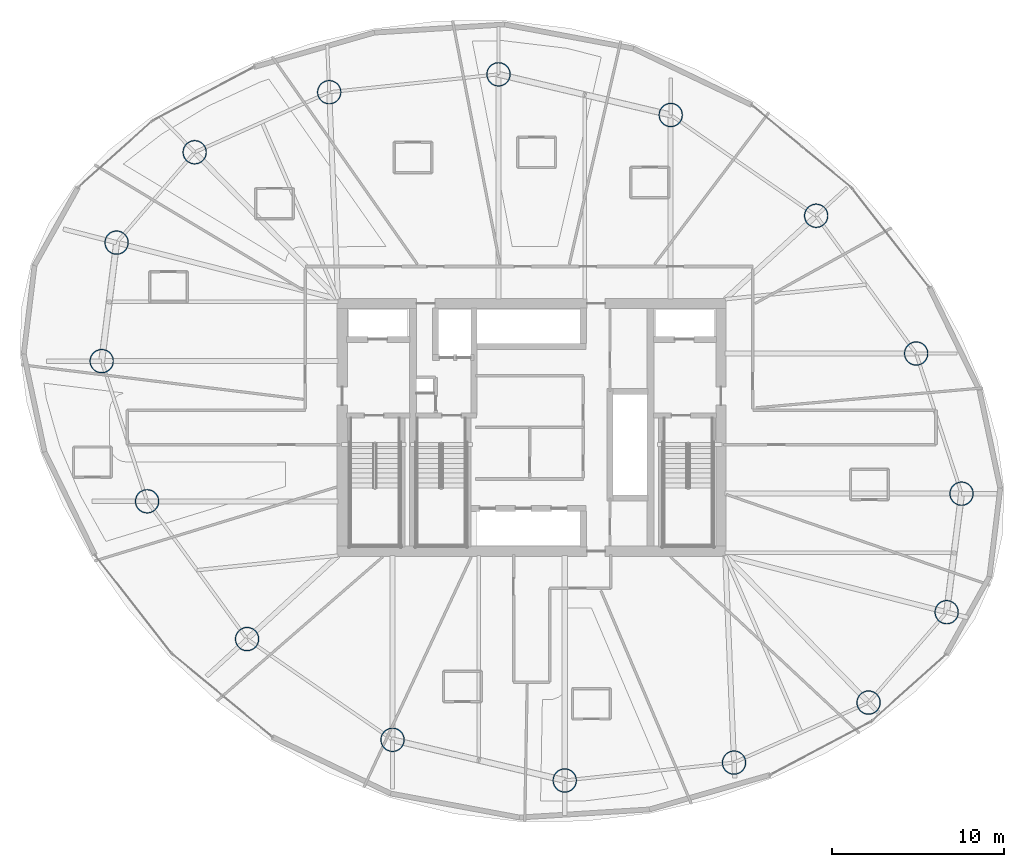
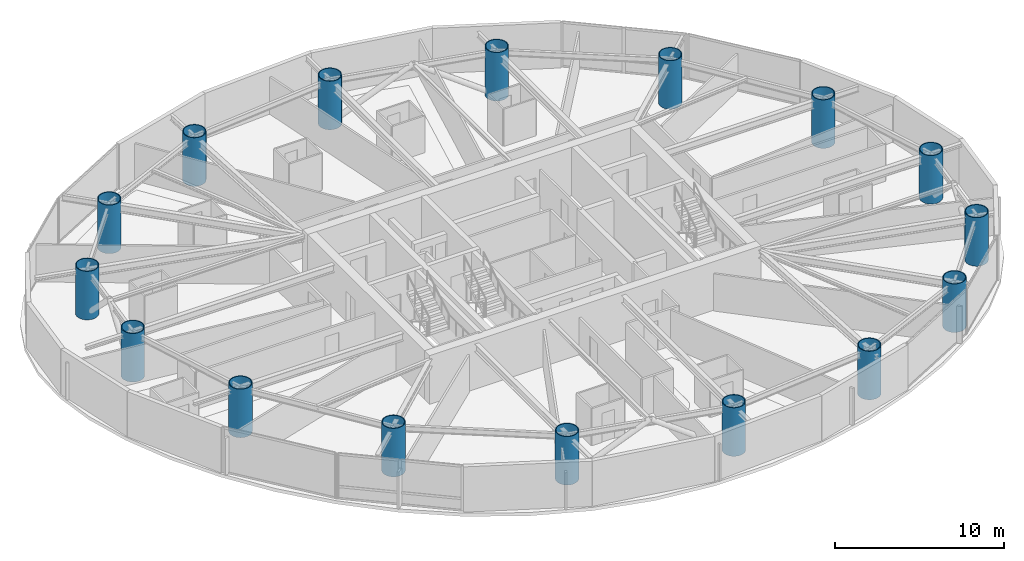
# One storey, part 1 of 20: 16 columns.
"""IFC4 building model written with IfcOpenShell, lengths in metres."""

from ifc_helpers import new_model, si_unit, direction, frame, origin, origin_2d, place, context, subcontext, project, spatial, hollow_circle, extrude, material, material_profile, profile_set, type_object, element, save


model = new_model("IFC4")

# Units and contexts
model_context = context("Model", 3, precision=1e-05, world=origin(), true_north=direction((0.0, 1.0)))
body_context = subcontext(model_context, "Body", "Model", "MODEL_VIEW")
ifc_project = project(units=[si_unit("LENGTHUNIT", "METRE"), si_unit("AREAUNIT", "SQUARE_METRE"), si_unit("VOLUMEUNIT", "CUBIC_METRE"), si_unit("PLANEANGLEUNIT", "RADIAN"), si_unit("MASSUNIT", "GRAM", prefix="KILO")], contexts=[model_context])

# Site, building, storey
site_placement = place(None, origin())
site = spatial("IfcSite", under=ifc_project, at=site_placement, CompositionType="ELEMENT")
building_placement = place(site_placement, origin())
building = spatial("IfcBuilding", under=site, at=building_placement, Name="Bramvorn Convention Spire", CompositionType="ELEMENT")
storey_placement = place(building_placement, frame((0.0, 0.0, 106.300048828125)))
storey = spatial("IfcBuildingStorey", under=building, at=storey_placement, Name="L25", CompositionType="ELEMENT", Elevation=106.300048828125)

# Columns
ifc_material = material(Name="Steel CSA G40.21 Grade 350 (350W)", Category="steel")
ifc_material_profile = material_profile(ifc_material, hollow_circle(Radius=0.699951171875, WallThickness=0.054931640625, at=origin_2d()))
ifc_profile_set = profile_set([ifc_material_profile], Name="Steel CSA G40.21 Grade 350 (350W) - CFT1400X55")
column_type = type_object("IfcColumnType", Name="COL-CFT1400X55", PredefinedType="COLUMN", material=ifc_profile_set)
for number, where, z_axis, x_axis, name in (
    (1, (62.11767578125, 15.26220703125, 0.0), (0.0, 0.0, 1.0), (1.0, 0.0, 0.0), "L25 composite CFT mega-column MC01"),
    (2, (62.983642578125, 22.148193359375, 0.0), (0.0, 0.0, 1.0), (1.0, 0.0, 0.0), "L25 composite CFT mega-column MC02"),
    (3, (60.345703125, 30.293212890625, 0.0), (0.0, 0.0, 1.0), (1.0, 0.0, 0.0), "L25 composite CFT mega-column MC03"),
    (4, (54.534912109375, 38.299072265625, 0.0), (0.0, 0.0, 1.0), (1.0, 0.0, 0.0), "L25 composite CFT mega-column MC04"),
    (5, (46.082763671875, 44.154052734375, 0.0), (0.0, 0.0, 1.0), (1.0, 0.0, 0.0), "L25 composite CFT mega-column MC05"),
    (6, (36.075927734375, 46.517333984375, 0.0), (0.0, 0.0, 1.0), (1.0, 0.0, 0.0), "L25 composite CFT mega-column MC06"),
    (7, (26.23828125, 45.478759765625, 0.0), (0.0, 0.0, 1.0), (1.0, 0.0, 0.0), "L25 composite CFT mega-column MC07"),
    (8, (18.420166015625, 41.9892578125, 0.0), (0.0, 0.0, 1.0), (1.0, 0.0, 0.0), "L25 composite CFT mega-column MC08"),
    (9, (13.88232421875, 36.73779296875, 0.0), (0.0, 0.0, 1.0), (1.0, 0.0, 0.0), "L25 composite CFT mega-column MC09"),
    (10, (13.016357421875, 29.851806640625, 0.0), (0.0, 0.0, 1.0), (1.0, 0.0, 0.0), "L25 composite CFT mega-column MC10"),
    (11, (15.654296875, 21.706787109375, 0.0), (0.0, 0.0, 1.0), (1.0, 0.0, 0.0), "L25 composite CFT mega-column MC11"),
    (12, (21.465087890625, 13.700927734375, 0.0), (0.0, 0.0, 1.0), (1.0, 0.0, 0.0), "L25 composite CFT mega-column MC12"),
    (13, (29.917236328125, 7.845947265625, 0.0), (0.0, 0.0, 1.0), (1.0, 0.0, 0.0), "L25 composite CFT mega-column MC13"),
    (14, (39.924072265625, 5.482666015625, 0.0), (0.0, 0.0, 1.0), (1.0, 0.0, 0.0), "L25 composite CFT mega-column MC14"),
    (15, (49.76171875, 6.521240234375, 0.0), (0.0, 0.0, 1.0), (1.0, 0.0, 0.0), "L25 composite CFT mega-column MC15"),
    (16, (57.579833984375, 10.0107421875, 0.0), (0.0, 0.0, 1.0), (1.0, 0.0, 0.0), "L25 composite CFT mega-column MC16"),
):
    element("IfcColumn", number, at=place(storey_placement, frame(where, z_axis=z_axis, x_axis=x_axis)), inside=storey, type_object=column_type, Name=name, PredefinedType="COLUMN", context=body_context, shape_type="SweptSolid", body=[
        extrude(hollow_circle(Radius=0.699951171875, WallThickness=0.054931640625, at=origin_2d()), origin(), (0.0, 0.0, 1.0), 3.5),
    ])

save(model, "model.ifc")
